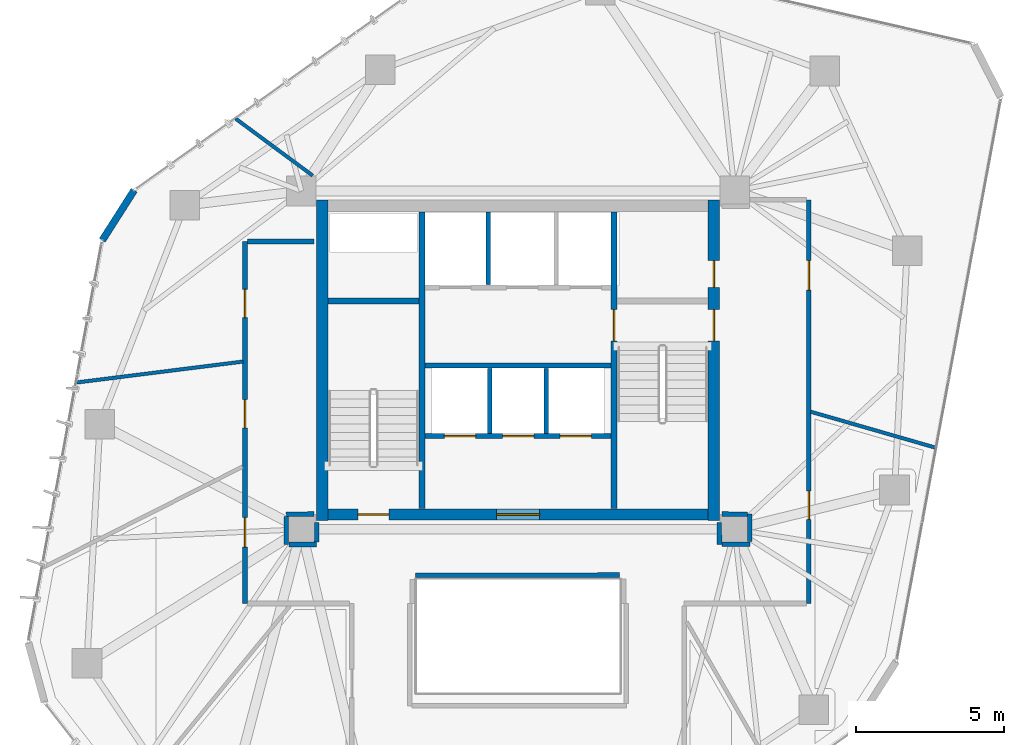
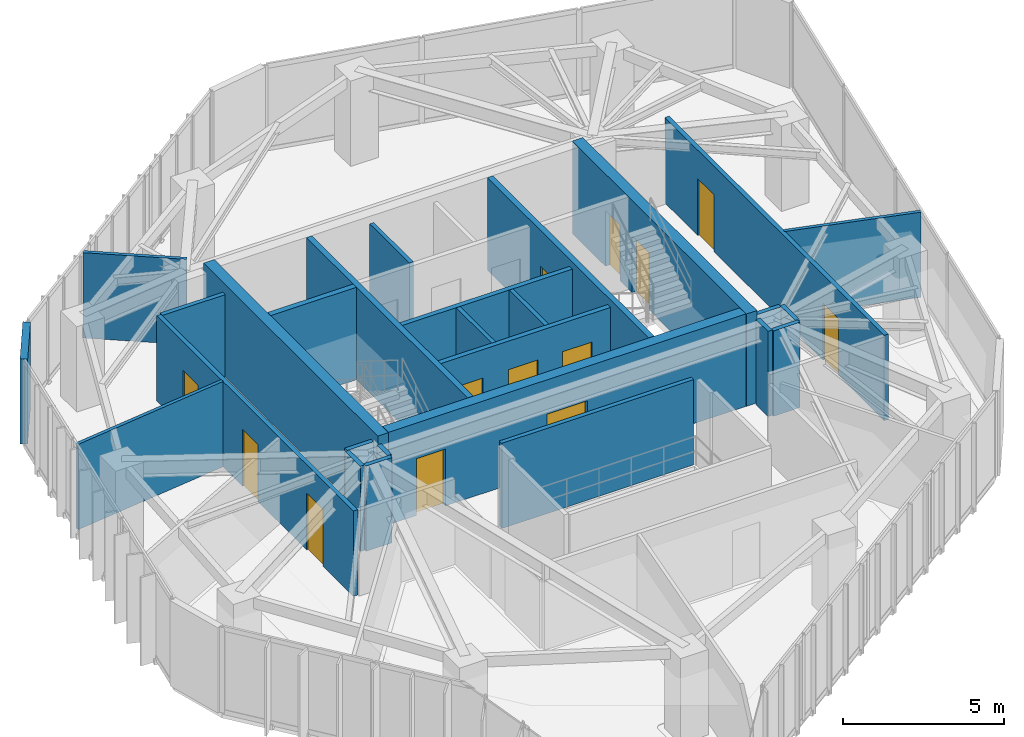
# One storey, part 16 of 19: 27 walls, 13 doors, 13 openings.
"""IFC4 building model written with IfcOpenShell, lengths in metres."""

from ifc_helpers import new_model, si_unit, direction, frame, frame_2d, origin, place, context, subcontext, project, spatial, rectangle, extrude, source, transform, mapped, material, layer, layer_set, type_object, type_shapes, element, fill, save


model = new_model("IFC4")

# Units and contexts
model_context = context("Model", 3, precision=1e-05, world=origin(), true_north=direction((0.0, 1.0)))
body_context = subcontext(model_context, "Body", "Model", "MODEL_VIEW")
ifc_project = project(units=[si_unit("LENGTHUNIT", "METRE"), si_unit("AREAUNIT", "SQUARE_METRE"), si_unit("VOLUMEUNIT", "CUBIC_METRE"), si_unit("PLANEANGLEUNIT", "RADIAN"), si_unit("MASSUNIT", "GRAM", prefix="KILO")], contexts=[model_context])

# Site, building, storey
site_placement = place(None, origin())
site = spatial("IfcSite", under=ifc_project, at=site_placement, CompositionType="ELEMENT")
building_placement = place(site_placement, origin())
building = spatial("IfcBuilding", under=site, at=building_placement, Name="Talar Marvaseh", CompositionType="ELEMENT")
storey_placement = place(building_placement, frame((0.0, 0.0, 195.0)))
storey = spatial("IfcBuildingStorey", under=building, at=storey_placement, Name="L51", CompositionType="ELEMENT", Elevation=195.0)

# Wall
ifc_material_1 = material(Name="Precast concrete C45/55", Category="concrete")
ifc_layer_1 = layer(ifc_material_1, 0.239990234375)
ifc_layer_set_1 = layer_set([ifc_layer_1], Name="Precast concrete C45/55")
wall_type_1 = type_object("IfcWallType", Name="Chamfered Hexagonal Corner Pier Wall Z3 240", PredefinedType="SOLIDWALL", material=ifc_layer_set_1)
wall_1_placement = place(storey_placement, frame((11.988525390625, 35.23876953125, 0.0), z_axis=(0.0, 0.0, 1.0), x_axis=(0.537395915449, 0.843330083691, 0.0)))
element("IfcWall", 1, at=wall_1_placement, inside=storey, type_object=wall_type_1, Name="L51 Chamfered Corner Limestone Pier 3", PredefinedType="SOLIDWALL", context=body_context, shape_type="SweptSolid", body=[
    extrude(rectangle(XDim=2.0029296875, YDim=0.239990234375, at=frame_2d((1.00146484375, 0.0))), origin(), (0.0, 0.0, 1.0), 3.22998046875),
])

# Wall, openings, doors
ifc_material_2 = material(Name="Gypsum Board Partition Assembly")
ifc_layer_2 = layer(ifc_material_2, 0.155029296875)
ifc_layer_set_2 = layer_set([ifc_layer_2], Name="Gypsum Board Partition Assembly")
wall_type_2 = type_object("IfcWallType", Name="Corridor Fire-Rated Acoustic Partition 155", PredefinedType="PARTITIONING", material=ifc_layer_set_2)
wall_2_placement = place(storey_placement, frame((16.800048828125, 23.0, 0.0), z_axis=(0.0, 0.0, 1.0), x_axis=(0.0, 1.0, 0.0)))
wall_2 = element("IfcWall", 2, at=wall_2_placement, inside=storey, type_object=wall_type_2, Name="L51 Interior Partition Wall", PredefinedType="PARTITIONING", context=body_context, shape_type="SweptSolid", body=[
    extrude(rectangle(XDim=12.199951171875, YDim=0.155029296875, at=frame_2d((6.10009765625, 0.0))), origin(), (0.0, 0.0, 1.0), 3.22998046875),
])
opening_1_placement = place(wall_2_placement, frame((1.8955078125, 0.0, 0.0)))
opening_1 = element("IfcOpeningElement", 3, at=opening_1_placement, cuts=wall_2, Name="Opening DR-RM100", PredefinedType="OPENING", context=body_context, shape_type="SweptSolid", body=[
    extrude(rectangle(XDim=1.0, YDim=2.14990234375, at=frame_2d((0.5, 1.074951171875))), frame((0.0, 0.08740234375, 0.0), z_axis=(0.0, -1.0, 0.0), x_axis=(1.0, 0.0, 0.0)), (0.0, 0.0, 1.0), 0.175048828125),
])
opening_2_placement = place(wall_2_placement, frame((9.632080078125, 0.0, 0.0)))
opening_2 = element("IfcOpeningElement", 4, at=opening_2_placement, cuts=wall_2, Name="Opening DR-WC095", PredefinedType="OPENING", context=body_context, shape_type="SweptSolid", body=[
    extrude(rectangle(XDim=0.949951171875, YDim=2.14990234375, at=frame_2d((0.47509765625, 1.074951171875))), frame((0.0, 0.08740234375, 0.0), z_axis=(0.0, -1.0, 0.0), x_axis=(1.0, 0.0, 0.0)), (0.0, 0.0, 1.0), 0.175048828125),
])
opening_3_placement = place(wall_2_placement, frame((5.919921875, 0.0, 0.0)))
opening_3 = element("IfcOpeningElement", 5, at=opening_3_placement, cuts=wall_2, Name="Opening DR-WC095", PredefinedType="OPENING", context=body_context, shape_type="SweptSolid", body=[
    extrude(rectangle(XDim=0.949951171875, YDim=2.14990234375, at=frame_2d((0.47509765625, 1.074951171875))), frame((0.0, 0.08740234375, 0.0), z_axis=(0.0, -1.0, 0.0), x_axis=(1.0, 0.0, 0.0)), (0.0, 0.0, 1.0), 0.175048828125),
])
ifc_material_3 = material(Name="Acoustic Engineered Oak Timber", Category="wood")
door_type_1 = type_object("IfcDoorType", Name="Washroom and Service Room Door 950x2150", OperationType="NOTDEFINED", PredefinedType="DOOR", material=ifc_material_3)
shared_shape_1 = source(origin(), body_context, "Body", "SweptSolid", [
    extrude(rectangle(XDim=0.949951171875, YDim=2.14990234375, at=frame_2d((0.47509765625, 1.074951171875))), frame((0.0, 0.02490234375, 0.0), z_axis=(0.0, -1.0, 0.0), x_axis=(1.0, 0.0, 0.0)), (0.0, 0.0, 1.0), 0.050048828125),
])
type_shapes(door_type_1, [shared_shape_1])
door_1_placement = place(opening_2_placement, origin())
door_1 = element("IfcDoor", 6, at=door_1_placement, inside=storey, type_object=door_type_1, Name="L51 Accessible WC Block Door", OperationType="SINGLE_SWING_LEFT", OverallHeight=2.14990234375, OverallWidth=0.949951171875, PredefinedType="DOOR", context=body_context, shape_type="MappedRepresentation", body=[
    mapped(shared_shape_1, transform((0.0, 0.0, 0.0), x_axis=(1.0, 0.0, 0.0), y_axis=(0.0, 1.0, 0.0), z_axis=(0.0, 0.0, 1.0), scale=1.0)),
])
fill(opening_2, door_1)
door_2_placement = place(opening_3_placement, origin())
door_2 = element("IfcDoor", 7, at=door_2_placement, inside=storey, type_object=door_type_1, Name="L51 WC Public Washrooms Door", OperationType="SINGLE_SWING_RIGHT", OverallHeight=2.14990234375, OverallWidth=0.949951171875, PredefinedType="DOOR", context=body_context, shape_type="MappedRepresentation", body=[
    mapped(shared_shape_1, transform((0.0, 0.0, 0.0), x_axis=(1.0, 0.0, 0.0), y_axis=(0.0, 1.0, 0.0), z_axis=(0.0, 0.0, 1.0), scale=1.0)),
])
fill(opening_3, door_2)
door_type_2 = type_object("IfcDoorType", Name="Corridor Fire-Rated Gallery Door 1000x2150", OperationType="NOTDEFINED", PredefinedType="DOOR", material=ifc_material_3)
shared_shape_2 = source(origin(), body_context, "Body", "SweptSolid", [
    extrude(rectangle(XDim=1.0, YDim=2.14990234375, at=frame_2d((0.5, 1.074951171875))), frame((0.0, 0.02490234375, 0.0), z_axis=(0.0, -1.0, 0.0), x_axis=(1.0, 0.0, 0.0)), (0.0, 0.0, 1.0), 0.050048828125),
])
type_shapes(door_type_2, [shared_shape_2])
door_3_placement = place(opening_1_placement, origin())
door_3 = element("IfcDoor", 8, at=door_3_placement, inside=storey, type_object=door_type_2, Name="L51 Seminar Room Door", OperationType="SINGLE_SWING_RIGHT", OverallHeight=2.14990234375, OverallWidth=1.0, PredefinedType="DOOR", context=body_context, shape_type="MappedRepresentation", body=[
    mapped(shared_shape_2, transform((0.0, 0.0, 0.0), x_axis=(1.0, 0.0, 0.0), y_axis=(0.0, 1.0, 0.0), z_axis=(0.0, 0.0, 1.0), scale=1.0)),
])
fill(opening_1, door_3)

wall_3_placement = place(storey_placement, frame((35.800048828125, 36.60009765625, 0.0), z_axis=(0.0, 0.0, 1.0), x_axis=(0.0, -1.0, 0.0)))
wall_3 = element("IfcWall", 9, at=wall_3_placement, inside=storey, type_object=wall_type_2, Name="L51 Interior Partition Wall", PredefinedType="PARTITIONING", context=body_context, shape_type="SweptSolid", body=[
    extrude(rectangle(XDim=13.60009765625, YDim=0.155029296875, at=frame_2d((6.800048828125, 0.0))), origin(), (0.0, 0.0, 1.0), 3.22998046875),
])
opening_4_placement = place(wall_3_placement, frame((9.81494140625, 0.0, 0.0)))
opening_4 = element("IfcOpeningElement", 10, at=opening_4_placement, cuts=wall_3, Name="Opening DR-WC095", PredefinedType="OPENING", context=body_context, shape_type="SweptSolid", body=[
    extrude(rectangle(XDim=0.949951171875, YDim=2.14990234375, at=frame_2d((0.47509765625, 1.074951171875))), frame((0.0, 0.08740234375, 0.0), z_axis=(0.0, -1.0, 0.0), x_axis=(1.0, 0.0, 0.0)), (0.0, 0.0, 1.0), 0.175048828125),
])
opening_5_placement = place(wall_3_placement, frame((2.04296875, 0.0, 0.0)))
opening_5 = element("IfcOpeningElement", 11, at=opening_5_placement, cuts=wall_3, Name="Opening DR-RM100", PredefinedType="OPENING", context=body_context, shape_type="SweptSolid", body=[
    extrude(rectangle(XDim=1.0, YDim=2.14990234375, at=frame_2d((0.5, 1.074951171875))), frame((0.0, 0.08740234375, 0.0), z_axis=(0.0, -1.0, 0.0), x_axis=(1.0, 0.0, 0.0)), (0.0, 0.0, 1.0), 0.175048828125),
])
door_4_placement = place(opening_4_placement, origin())
door_4 = element("IfcDoor", 12, at=door_4_placement, inside=storey, type_object=door_type_1, Name="L51 Scholars' Servery Pantry Door", OperationType="SINGLE_SWING_LEFT", OverallHeight=2.14990234375, OverallWidth=0.949951171875, PredefinedType="DOOR", context=body_context, shape_type="MappedRepresentation", body=[
    mapped(shared_shape_1, transform((0.0, 0.0, 0.0), x_axis=(1.0, 0.0, 0.0), y_axis=(0.0, 1.0, 0.0), z_axis=(0.0, 0.0, 1.0), scale=1.0)),
])
fill(opening_4, door_4)
door_5_placement = place(opening_5_placement, origin())
door_5 = element("IfcDoor", 13, at=door_5_placement, inside=storey, type_object=door_type_2, Name="L51 Conservation Briefing Room Door", OperationType="SINGLE_SWING_RIGHT", OverallHeight=2.14990234375, OverallWidth=1.0, PredefinedType="DOOR", context=body_context, shape_type="MappedRepresentation", body=[
    mapped(shared_shape_2, transform((0.0, 0.0, 0.0), x_axis=(1.0, 0.0, 0.0), y_axis=(0.0, 1.0, 0.0), z_axis=(0.0, 0.0, 1.0), scale=1.0)),
])
fill(opening_5, door_5)

# Walls
wall_4_placement = place(storey_placement, frame((16.883544921875, 35.199951171875, 0.0), z_axis=(0.0, 0.0, 1.0), x_axis=(1.0, 0.0, 0.0)))
element("IfcWall", 14, at=wall_4_placement, inside=storey, type_object=wall_type_2, Name="L51 Interior Partition Wall", PredefinedType="PARTITIONING", context=body_context, shape_type="SweptSolid", body=[
    extrude(rectangle(XDim=2.246337890625, YDim=0.155029296875, at=frame_2d((1.123046875, 0.0))), origin(), (0.0, 0.0, 1.0), 3.22998046875),
])
wall_5_placement = place(storey_placement, frame((19.1298828125, 26.0146484375, 0.0), z_axis=(0.0, 0.0, 1.0), x_axis=(-0.99999026157, -0.004413248818, 0.0)))
element("IfcWall", 15, at=wall_5_placement, inside=storey, type_object=wall_type_2, Name="L51 Interior Partition Wall", PredefinedType="PARTITIONING", context=body_context, shape_type="SweptSolid", body=[
    extrude(rectangle(XDim=0.9404296875, YDim=0.155029296875, at=frame_2d((0.47021484375, 0.0))), origin(), (0.0, 0.0, 1.0), 3.22998046875),
])
wall_6_placement = place(storey_placement, frame((18.189697265625, 25.927001953125, 0.0), z_axis=(0.0, 0.0, 1.0), x_axis=(0.002078997586, -0.999997838882, 0.0)))
element("IfcWall", 16, at=wall_6_placement, inside=storey, type_object=wall_type_2, Name="L51 Interior Partition Wall", PredefinedType="PARTITIONING", context=body_context, shape_type="SweptSolid", body=[
    extrude(rectangle(XDim=0.939453125, YDim=0.155029296875, at=frame_2d((0.4697265625, 0.0))), origin(), (0.0, 0.0, 1.0), 3.22998046875),
])
wall_7_placement = place(storey_placement, frame((18.275146484375, 24.987548828125, 0.0), z_axis=(0.0, 0.0, 1.0), x_axis=(0.999999692748, 0.0007839036, 0.0)))
element("IfcWall", 17, at=wall_7_placement, inside=storey, type_object=wall_type_2, Name="L51 Interior Partition Wall", PredefinedType="PARTITIONING", context=body_context, shape_type="SweptSolid", body=[
    extrude(rectangle(XDim=0.934326171875, YDim=0.155029296875, at=frame_2d((0.46728515625, 0.0))), origin(), (0.0, 0.0, 1.0), 3.22998046875),
])
wall_8_placement = place(storey_placement, frame((19.210205078125, 25.072021484375, 0.0), z_axis=(0.0, 0.0, 1.0), x_axis=(0.007420945932, 0.999972464402, 0.0)))
element("IfcWall", 18, at=wall_8_placement, inside=storey, type_object=wall_type_2, Name="L51 Interior Partition Wall", PredefinedType="PARTITIONING", context=body_context, shape_type="SweptSolid", body=[
    extrude(rectangle(XDim=0.657958984375, YDim=0.155029296875, at=frame_2d((0.3291015625, 0.0))), origin(), (0.0, 0.0, 1.0), 3.22998046875),
])
wall_9_placement = place(storey_placement, frame((32.784912109375, 25.72998046875, 0.0), z_axis=(0.0, 0.0, 1.0), x_axis=(0.007570553288, -0.999971342951, 0.0)))
element("IfcWall", 19, at=wall_9_placement, inside=storey, type_object=wall_type_2, Name="L51 Interior Partition Wall", PredefinedType="PARTITIONING", context=body_context, shape_type="SweptSolid", body=[
    extrude(rectangle(XDim=0.74169921875, YDim=0.155029296875, at=frame_2d((0.370849609375, 0.0))), origin(), (0.0, 0.0, 1.0), 3.22998046875),
])
wall_10_placement = place(storey_placement, frame((32.8740234375, 24.9892578125, 0.0), z_axis=(0.0, 0.0, 1.0), x_axis=(0.999934835738, 0.01141596595, 0.0)))
element("IfcWall", 20, at=wall_10_placement, inside=storey, type_object=wall_type_2, Name="L51 Interior Partition Wall", PredefinedType="PARTITIONING", context=body_context, shape_type="SweptSolid", body=[
    extrude(rectangle(XDim=0.94091796875, YDim=0.155029296875, at=frame_2d((0.470458984375, 0.0))), origin(), (0.0, 0.0, 1.0), 3.22998046875),
])
wall_11_placement = place(storey_placement, frame((33.814697265625, 25.08349609375, 0.0), z_axis=(0.0, 0.0, 1.0), x_axis=(-0.004477173984, 0.999989977406, 0.0)))
element("IfcWall", 21, at=wall_11_placement, inside=storey, type_object=wall_type_2, Name="L51 Interior Partition Wall", PredefinedType="PARTITIONING", context=body_context, shape_type="SweptSolid", body=[
    extrude(rectangle(XDim=0.927001953125, YDim=0.155029296875, at=frame_2d((0.46337890625, 0.0))), origin(), (0.0, 0.0, 1.0), 3.22998046875),
])
wall_12_placement = place(storey_placement, frame((33.72705078125, 26.010986328125, 0.0), z_axis=(0.0, 0.0, 1.0), x_axis=(-0.999990868706, 0.004273465251, 0.0)))
element("IfcWall", 22, at=wall_12_placement, inside=storey, type_object=wall_type_2, Name="L51 Interior Partition Wall", PredefinedType="PARTITIONING", context=body_context, shape_type="SweptSolid", body=[
    extrude(rectangle(XDim=0.85693359375, YDim=0.155029296875, at=frame_2d((0.428466796875, 0.0))), origin(), (0.0, 0.0, 1.0), 3.22998046875),
])
wall_13_placement = place(storey_placement, frame((29.415771484375, 23.959228515625, 0.0), z_axis=(0.0, 0.0, 1.0), x_axis=(-0.999998607957, -0.001668557745, 0.0)))
element("IfcWall", 23, at=wall_13_placement, inside=storey, type_object=wall_type_2, Name="L51 Interior Partition Wall", PredefinedType="PARTITIONING", context=body_context, shape_type="SweptSolid", body=[
    extrude(rectangle(XDim=6.876953125, YDim=0.155029296875, at=frame_2d((3.4384765625, 0.0))), origin(), (0.0, 0.0, 1.0), 3.22998046875),
])
ifc_layer_3 = layer(ifc_material_2, 0.1201171875)
ifc_layer_set_3 = layer_set([ifc_layer_3], Name="Gypsum Board Partition Assembly")
wall_type_3 = type_object("IfcWallType", Name="Demountable Studio Room Partition 120", PredefinedType="PARTITIONING", material=ifc_layer_set_3)
wall_14_placement = place(storey_placement, frame((35.862548828125, 29.4619140625, 0.0), z_axis=(0.0, 0.0, 1.0), x_axis=(0.960999786339, -0.276549110748, 0.0)))
element("IfcWall", 24, at=wall_14_placement, inside=storey, type_object=wall_type_3, Name="L51 Interior Partition Wall", PredefinedType="PARTITIONING", context=body_context, shape_type="SweptSolid", body=[
    extrude(rectangle(XDim=4.37353515625, YDim=0.1201171875, at=frame_2d((2.186767578125, 0.0))), origin(), (0.0, 0.0, 1.0), 3.22998046875),
])
wall_15_placement = place(storey_placement, frame((19.080078125, 37.419921875, 0.0), z_axis=(0.0, 0.0, 1.0), x_axis=(-0.80430976954, 0.594210227633, 0.0)))
element("IfcWall", 25, at=wall_15_placement, inside=storey, type_object=wall_type_3, Name="L51 Interior Partition Wall", PredefinedType="PARTITIONING", context=body_context, shape_type="SweptSolid", body=[
    extrude(rectangle(XDim=3.22705078125, YDim=0.1201171875, at=frame_2d((1.613525390625, 0.0))), origin(), (0.0, 0.0, 1.0), 3.22998046875),
])
wall_16_placement = place(storey_placement, frame((16.735595703125, 31.15185546875, 0.0), z_axis=(0.0, 0.0, 1.0), x_axis=(-0.992197947241, -0.124672504948, 0.0)))
element("IfcWall", 26, at=wall_16_placement, inside=storey, type_object=wall_type_3, Name="L51 Interior Partition Wall", PredefinedType="PARTITIONING", context=body_context, shape_type="SweptSolid", body=[
    extrude(rectangle(XDim=5.653564453125, YDim=0.1201171875, at=frame_2d((2.82666015625, 0.0))), origin(), (0.0, 0.0, 1.0), 3.22998046875),
])
ifc_layer_4 = layer(ifc_material_1, 0.14501953125)
ifc_layer_set_4 = layer_set([ifc_layer_4], Name="Precast concrete C45/55")
wall_type_4 = type_object("IfcWallType", Name="Fire-Rated Lift Divider Wall 145", PredefinedType="SOLIDWALL", material=ifc_layer_set_4)
wall_17_placement = place(storey_placement, frame((25.0, 33.743408203125, 0.0), z_axis=(0.0, 0.0, 1.0), x_axis=(0.0, 1.0, 0.0)))
element("IfcWall", 27, at=wall_17_placement, inside=storey, type_object=wall_type_4, Name="L51 FFL-1/FFL-2 Divider", PredefinedType="SOLIDWALL", context=body_context, shape_type="SweptSolid", body=[
    extrude(rectangle(XDim=2.45654296875, YDim=0.14501953125, at=frame_2d((1.228271484375, 0.0))), origin(), (0.0, 0.0, 1.0), 3.22998046875),
])
for number, where, z_axis, x_axis, name in (
    (28, (25.050048828125, 28.719970703125, 0.0), (0.0, 0.0, 1.0), (0.0, 1.0, 0.0), "L51 PL-H1/PL-H2 Divider"),
    (29, (26.949951171875, 28.719970703125, 0.0), (0.0, 0.0, 1.0), (0.0, 1.0, 0.0), "L51 PL-H2/PL-H3 Divider"),
):
    element("IfcWall", number, at=place(storey_placement, frame(where, z_axis=z_axis, x_axis=x_axis)), inside=storey, type_object=wall_type_4, Name=name, PredefinedType="SOLIDWALL", context=body_context, shape_type="SweptSolid", body=[
        extrude(rectangle(XDim=2.20654296875, YDim=0.14501953125, at=frame_2d((1.103271484375, 0.0))), origin(), (0.0, 0.0, 1.0), 3.22998046875),
    ])
ifc_layer_5 = layer(ifc_material_1, 0.175048828125)
ifc_layer_set_5 = layer_set([ifc_layer_5], Name="Precast concrete C45/55")
wall_type_5 = type_object("IfcWallType", Name="Fire-Rated Lift Hoistway Enclosure Wall 175", PredefinedType="SOLIDWALL", material=ifc_layer_set_5)
wall_18_placement = place(storey_placement, frame((22.860107421875, 31.02001953125, 0.0), z_axis=(0.0, 0.0, 1.0), x_axis=(1.0, 0.0, 0.0)))
element("IfcWall", 30, at=wall_18_placement, inside=storey, type_object=wall_type_5, Name="L51 Firefighting Lobby South Smoke Wall", PredefinedType="SOLIDWALL", context=body_context, shape_type="SweptSolid", body=[
    extrude(rectangle(XDim=6.27978515625, YDim=0.175048828125, at=frame_2d((3.139892578125, 0.0))), origin(), (0.0, 0.0, 1.0), 3.22998046875),
])

# Wall, openings, doors
wall_19_placement = place(storey_placement, frame((22.860107421875, 28.639892578125, 0.0), z_axis=(0.0, 0.0, 1.0), x_axis=(1.0, 0.0, 0.0)))
wall_19 = element("IfcWall", 31, at=wall_19_placement, inside=storey, type_object=wall_type_5, Name="L51 High-Rise Lift Bank Front Wall", PredefinedType="SOLIDWALL", context=body_context, shape_type="SweptSolid", body=[
    extrude(rectangle(XDim=6.27978515625, YDim=0.175048828125, at=frame_2d((3.139892578125, 0.0))), origin(), (0.0, 0.0, 1.0), 3.22998046875),
])
opening_6_placement = place(wall_19_placement, frame((0.659912109375, 0.0, 0.0)))
opening_6 = element("IfcOpeningElement", 32, at=opening_6_placement, cuts=wall_19, Name="Opening LD-PLH1", PredefinedType="OPENING", context=body_context, shape_type="SweptSolid", body=[
    extrude(rectangle(XDim=1.050048828125, YDim=2.14990234375, at=frame_2d((0.52490234375, 1.074951171875))), frame((0.0, 0.09765625, 0.0), z_axis=(0.0, -1.0, 0.0), x_axis=(1.0, 0.0, 0.0)), (0.0, 0.0, 1.0), 0.195068359375),
])
opening_7_placement = place(wall_19_placement, frame((2.6201171875, 0.0, 0.0)))
opening_7 = element("IfcOpeningElement", 33, at=opening_7_placement, cuts=wall_19, Name="Opening LD-PLH2", PredefinedType="OPENING", context=body_context, shape_type="SweptSolid", body=[
    extrude(rectangle(XDim=1.050048828125, YDim=2.14990234375, at=frame_2d((0.52490234375, 1.074951171875))), frame((0.0, 0.09765625, 0.0), z_axis=(0.0, -1.0, 0.0), x_axis=(1.0, 0.0, 0.0)), (0.0, 0.0, 1.0), 0.195068359375),
])
opening_8_placement = place(wall_19_placement, frame((4.56005859375, 0.0, 0.0)))
opening_8 = element("IfcOpeningElement", 34, at=opening_8_placement, cuts=wall_19, Name="Opening LD-PLH3", PredefinedType="OPENING", context=body_context, shape_type="SweptSolid", body=[
    extrude(rectangle(XDim=1.050048828125, YDim=2.14990234375, at=frame_2d((0.52490234375, 1.074951171875))), frame((0.0, 0.09765625, 0.0), z_axis=(0.0, -1.0, 0.0), x_axis=(1.0, 0.0, 0.0)), (0.0, 0.0, 1.0), 0.195068359375),
])
ifc_material_4 = material(Name="Stainless Steel Grade 316", Category="steel")
door_type_3 = type_object("IfcDoorType", Name="Automatic Sliding Lift Landing Door 1050x2150", OperationType="NOTDEFINED", PredefinedType="DOOR", material=ifc_material_4)
shared_shape_3 = source(origin(), body_context, "Body", "SweptSolid", [
    extrude(rectangle(XDim=1.050048828125, YDim=2.14990234375, at=frame_2d((0.52490234375, 1.074951171875))), frame((0.0, 0.02490234375, 0.0), z_axis=(0.0, -1.0, 0.0), x_axis=(1.0, 0.0, 0.0)), (0.0, 0.0, 1.0), 0.050048828125),
])
type_shapes(door_type_3, [shared_shape_3])
door_6_placement = place(opening_6_placement, origin())
door_6 = element("IfcDoor", 35, at=door_6_placement, inside=storey, type_object=door_type_3, Name="L51 Lift PL-H1 Sliding Landing Door", OperationType="SLIDING_TO_LEFT", OverallHeight=2.14990234375, OverallWidth=1.050048828125, PredefinedType="DOOR", context=body_context, shape_type="MappedRepresentation", body=[
    mapped(shared_shape_3, transform((0.0, 0.0, 0.0), x_axis=(1.0, 0.0, 0.0), y_axis=(0.0, 1.0, 0.0), z_axis=(0.0, 0.0, 1.0), scale=1.0)),
])
fill(opening_6, door_6)
door_7_placement = place(opening_7_placement, origin())
door_7 = element("IfcDoor", 36, at=door_7_placement, inside=storey, type_object=door_type_3, Name="L51 Lift PL-H2 Sliding Landing Door", OperationType="SLIDING_TO_LEFT", OverallHeight=2.14990234375, OverallWidth=1.050048828125, PredefinedType="DOOR", context=body_context, shape_type="MappedRepresentation", body=[
    mapped(shared_shape_3, transform((0.0, 0.0, 0.0), x_axis=(1.0, 0.0, 0.0), y_axis=(0.0, 1.0, 0.0), z_axis=(0.0, 0.0, 1.0), scale=1.0)),
])
fill(opening_7, door_7)
door_8_placement = place(opening_8_placement, origin())
door_8 = element("IfcDoor", 37, at=door_8_placement, inside=storey, type_object=door_type_3, Name="L51 Lift PL-H3 Sliding Landing Door", OperationType="SLIDING_TO_LEFT", OverallHeight=2.14990234375, OverallWidth=1.050048828125, PredefinedType="DOOR", context=body_context, shape_type="MappedRepresentation", body=[
    mapped(shared_shape_3, transform((0.0, 0.0, 0.0), x_axis=(1.0, 0.0, 0.0), y_axis=(0.0, 1.0, 0.0), z_axis=(0.0, 0.0, 1.0), scale=1.0)),
])
fill(opening_8, door_8)

# Wall
ifc_material_5 = material(Name="Concrete C60/75", Category="concrete")
ifc_layer_6 = layer(ifc_material_5, 0.3798828125)
ifc_layer_set_6 = layer_set([ifc_layer_6], Name="Concrete C60/75")
wall_type_6 = type_object("IfcWallType", Name="Mid Core Reinforced Concrete Shear Wall 380", PredefinedType="SHEAR", material=ifc_layer_set_6)
wall_20_placement = place(storey_placement, frame((19.39990234375, 25.800048828125, 0.0), z_axis=(0.0, 0.0, 1.0), x_axis=(0.0, 1.0, 0.0)))
element("IfcWall", 38, at=wall_20_placement, inside=storey, type_object=wall_type_6, Name="L51 West Core Shear Wall", PredefinedType="SHEAR", context=body_context, shape_type="SweptSolid", body=[
    extrude(rectangle(XDim=10.800048828125, YDim=0.3798828125, at=frame_2d((5.39990234375, 0.0))), origin(), (0.0, 0.0, 1.0), 3.5),
])

# Wall, openings, doors
wall_21_placement = place(storey_placement, frame((32.60009765625, 36.60009765625, 0.0), z_axis=(0.0, 0.0, 1.0), x_axis=(0.0, -1.0, 0.0)))
wall_21 = element("IfcWall", 39, at=wall_21_placement, inside=storey, type_object=wall_type_6, Name="L51 East Core Shear Wall", PredefinedType="SHEAR", context=body_context, shape_type="SweptSolid", body=[
    extrude(rectangle(XDim=10.800048828125, YDim=0.3798828125, at=frame_2d((5.39990234375, 0.0))), origin(), (0.0, 0.0, 1.0), 3.5),
])
opening_9_placement = place(wall_21_placement, frame((3.699951171875, 0.0, 0.0)))
opening_9 = element("IfcOpeningElement", 40, at=opening_9_placement, cuts=wall_21, Name="Opening DR-ST105", PredefinedType="OPENING", context=body_context, shape_type="SweptSolid", body=[
    extrude(rectangle(XDim=1.050048828125, YDim=2.14990234375, at=frame_2d((0.52490234375, 1.074951171875))), frame((0.0, 0.199951171875, 0.0), z_axis=(0.0, -1.0, 0.0), x_axis=(1.0, 0.0, 0.0)), (0.0, 0.0, 1.0), 0.39990234375),
])
opening_10_placement = place(wall_21_placement, frame((2.050048828125, 0.0, 0.0)))
opening_10 = element("IfcOpeningElement", 41, at=opening_10_placement, cuts=wall_21, Name="Opening DR-BOH090", PredefinedType="OPENING", context=body_context, shape_type="SweptSolid", body=[
    extrude(rectangle(XDim=0.89990234375, YDim=2.10009765625, at=frame_2d((0.449951171875, 1.050048828125))), frame((0.0, 0.199951171875, 0.0), z_axis=(0.0, -1.0, 0.0), x_axis=(1.0, 0.0, 0.0)), (0.0, 0.0, 1.0), 0.39990234375),
])
ifc_material_6 = material(Name="Fire-Rated Steel Door Leaf", Category="steel")
door_type_4 = type_object("IfcDoorType", Name="Protected Exit Stair Fire Door 1050x2150", OperationType="NOTDEFINED", PredefinedType="DOOR", material=ifc_material_6)
shared_shape_4 = source(origin(), body_context, "Body", "SweptSolid", [
    extrude(rectangle(XDim=1.050048828125, YDim=2.14990234375, at=frame_2d((0.52490234375, 1.074951171875))), frame((0.0, 0.02490234375, 0.0), z_axis=(0.0, -1.0, 0.0), x_axis=(1.0, 0.0, 0.0)), (0.0, 0.0, 1.0), 0.050048828125),
])
type_shapes(door_type_4, [shared_shape_4])
door_9_placement = place(opening_9_placement, origin())
door_9 = element("IfcDoor", 42, at=door_9_placement, inside=storey, type_object=door_type_4, Name="L51 Stair ST-2 Corridor Exit Door", OperationType="SINGLE_SWING_LEFT", OverallHeight=2.14990234375, OverallWidth=1.050048828125, PredefinedType="DOOR", context=body_context, shape_type="MappedRepresentation", body=[
    mapped(shared_shape_4, transform((0.0, 0.0, 0.0), x_axis=(1.0, 0.0, 0.0), y_axis=(0.0, 1.0, 0.0), z_axis=(0.0, 0.0, 1.0), scale=1.0)),
])
fill(opening_9, door_9)
door_type_5 = type_object("IfcDoorType", Name="Core Back-of-House Service Door 900x2100", OperationType="NOTDEFINED", PredefinedType="DOOR", material=ifc_material_6)
shared_shape_5 = source(origin(), body_context, "Body", "SweptSolid", [
    extrude(rectangle(XDim=0.89990234375, YDim=2.10009765625, at=frame_2d((0.449951171875, 1.050048828125))), frame((0.0, 0.02490234375, 0.0), z_axis=(0.0, -1.0, 0.0), x_axis=(1.0, 0.0, 0.0)), (0.0, 0.0, 1.0), 0.050048828125),
])
type_shapes(door_type_5, [shared_shape_5])
door_10_placement = place(opening_10_placement, origin())
door_10 = element("IfcDoor", 43, at=door_10_placement, inside=storey, type_object=door_type_5, Name="L51 Store Core East Archive Room Door", OperationType="SINGLE_SWING_RIGHT", OverallHeight=2.10009765625, OverallWidth=0.89990234375, PredefinedType="DOOR", context=body_context, shape_type="MappedRepresentation", body=[
    mapped(shared_shape_5, transform((0.0, 0.0, 0.0), x_axis=(1.0, 0.0, 0.0), y_axis=(0.0, 1.0, 0.0), z_axis=(0.0, 0.0, 1.0), scale=1.0)),
])
fill(opening_10, door_10)

wall_22_placement = place(storey_placement, frame((32.39990234375, 26.0, 0.0), z_axis=(0.0, 0.0, 1.0), x_axis=(-1.0, 0.0, 0.0)))
wall_22 = element("IfcWall", 44, at=wall_22_placement, inside=storey, type_object=wall_type_6, Name="L51 South Core Shear Wall", PredefinedType="SHEAR", context=body_context, shape_type="SweptSolid", body=[
    extrude(rectangle(XDim=12.7998046875, YDim=0.3798828125, at=frame_2d((6.39990234375, 0.0))), origin(), (0.0, 0.0, 1.0), 3.5),
])
opening_11_placement = place(wall_22_placement, frame((10.75, 0.0, 0.0)))
opening_11 = element("IfcOpeningElement", 45, at=opening_11_placement, cuts=wall_22, Name="Opening DR-ST105", PredefinedType="OPENING", context=body_context, shape_type="SweptSolid", body=[
    extrude(rectangle(XDim=1.050048828125, YDim=2.14990234375, at=frame_2d((0.52490234375, 1.074951171875))), frame((0.0, 0.199951171875, 0.0), z_axis=(0.0, -1.0, 0.0), x_axis=(1.0, 0.0, 0.0)), (0.0, 0.0, 1.0), 0.39990234375),
])
opening_12_placement = place(wall_22_placement, frame((5.669921875, 0.0, 0.0)))
opening_12 = element("IfcOpeningElement", 46, at=opening_12_placement, cuts=wall_22, Name="Opening DR-LBY145", PredefinedType="OPENING", context=body_context, shape_type="SweptSolid", body=[
    extrude(rectangle(XDim=1.449951171875, YDim=2.199951171875, at=frame_2d((0.72509765625, 1.10009765625))), frame((0.0, 0.199951171875, 0.0), z_axis=(0.0, -1.0, 0.0), x_axis=(1.0, 0.0, 0.0)), (0.0, 0.0, 1.0), 0.39990234375),
])
door_11_placement = place(opening_11_placement, origin())
door_11 = element("IfcDoor", 47, at=door_11_placement, inside=storey, type_object=door_type_4, Name="L51 Stair ST-1 Exit Door", OperationType="SINGLE_SWING_RIGHT", OverallHeight=2.14990234375, OverallWidth=1.050048828125, PredefinedType="DOOR", context=body_context, shape_type="MappedRepresentation", body=[
    mapped(shared_shape_4, transform((0.0, 0.0, 0.0), x_axis=(1.0, 0.0, 0.0), y_axis=(0.0, 1.0, 0.0), z_axis=(0.0, 0.0, 1.0), scale=1.0)),
])
fill(opening_11, door_11)
door_type_6 = type_object("IfcDoorType", Name="Core Lift Lobby Double Smoke Door 1450x2200", OperationType="NOTDEFINED", PredefinedType="DOOR", material=ifc_material_6)
shared_shape_6 = source(origin(), body_context, "Body", "SweptSolid", [
    extrude(rectangle(XDim=1.449951171875, YDim=2.199951171875, at=frame_2d((0.72509765625, 1.10009765625))), frame((0.0, 0.02490234375, 0.0), z_axis=(0.0, -1.0, 0.0), x_axis=(1.0, 0.0, 0.0)), (0.0, 0.0, 1.0), 0.050048828125),
])
type_shapes(door_type_6, [shared_shape_6])
door_12_placement = place(opening_12_placement, origin())
door_12 = element("IfcDoor", 48, at=door_12_placement, inside=storey, type_object=door_type_6, Name="L51 Passenger Lift Lobby Entrance Door", OperationType="DOUBLE_DOOR_SINGLE_SWING", OverallHeight=2.199951171875, OverallWidth=1.449951171875, PredefinedType="DOOR", context=body_context, shape_type="MappedRepresentation", body=[
    mapped(shared_shape_6, transform((0.0, 0.0, 0.0), x_axis=(1.0, 0.0, 0.0), y_axis=(0.0, 1.0, 0.0), z_axis=(0.0, 0.0, 1.0), scale=1.0)),
])
fill(opening_12, door_12)

# Wall
ifc_material_7 = material(Name="Concrete C50/60", Category="concrete")
ifc_layer_7 = layer(ifc_material_7, 0.199951171875)
ifc_layer_set_7 = layer_set([ifc_layer_7], Name="Concrete C50/60")
wall_type_7 = type_object("IfcWallType", Name="Stair Shaft Structural Concrete Shear Wall 200", PredefinedType="SHEAR", material=ifc_layer_set_7)
wall_23_placement = place(storey_placement, frame((22.760009765625, 26.199951171875, 0.0), z_axis=(0.0, 0.0, 1.0), x_axis=(0.0, 1.0, 0.0)))
element("IfcWall", 49, at=wall_23_placement, inside=storey, type_object=wall_type_7, Name="L51 Core West Stair Shear Wall", PredefinedType="SHEAR", context=body_context, shape_type="SweptSolid", body=[
    extrude(rectangle(XDim=10.0, YDim=0.199951171875, at=frame_2d((5.0, 0.0))), origin(), (0.0, 0.0, 1.0), 3.5),
])

# Wall, opening, door
wall_24_placement = place(storey_placement, frame((29.239990234375, 26.199951171875, 0.0), z_axis=(0.0, 0.0, 1.0), x_axis=(0.0, 1.0, 0.0)))
wall_24 = element("IfcWall", 50, at=wall_24_placement, inside=storey, type_object=wall_type_7, Name="L51 Core East Stair Shear Wall", PredefinedType="SHEAR", context=body_context, shape_type="SweptSolid", body=[
    extrude(rectangle(XDim=10.0, YDim=0.199951171875, at=frame_2d((5.0, 0.0))), origin(), (0.0, 0.0, 1.0), 3.5),
])
opening_13_placement = place(wall_24_placement, frame((5.64990234375, 0.0, 0.0)))
opening_13 = element("IfcOpeningElement", 51, at=opening_13_placement, cuts=wall_24, Name="Opening DR-ST105", PredefinedType="OPENING", context=body_context, shape_type="SweptSolid", body=[
    extrude(rectangle(XDim=1.050048828125, YDim=2.14990234375, at=frame_2d((0.52490234375, 1.074951171875))), frame((0.0, 0.10986328125, 0.0), z_axis=(0.0, -1.0, 0.0), x_axis=(1.0, 0.0, 0.0)), (0.0, 0.0, 1.0), 0.219970703125),
])
door_13_placement = place(opening_13_placement, origin())
door_13 = element("IfcDoor", 52, at=door_13_placement, inside=storey, type_object=door_type_4, Name="L51 Firefighting Lobby to Stair ST-2 Door", OperationType="SINGLE_SWING_LEFT", OverallHeight=2.14990234375, OverallWidth=1.050048828125, PredefinedType="DOOR", context=body_context, shape_type="MappedRepresentation", body=[
    mapped(shared_shape_4, transform((0.0, 0.0, 0.0), x_axis=(1.0, 0.0, 0.0), y_axis=(0.0, 1.0, 0.0), z_axis=(0.0, 0.0, 1.0), scale=1.0)),
])
fill(opening_13, door_13)

# Wall
wall_25_placement = place(storey_placement, frame((19.60009765625, 33.199951171875, 0.0), z_axis=(0.0, 0.0, 1.0), x_axis=(1.0, 0.0, 0.0)))
element("IfcWall", 53, at=wall_25_placement, inside=storey, type_object=wall_type_7, Name="L51 Stair ST-1 North Shear Wall", PredefinedType="SHEAR", context=body_context, shape_type="SweptSolid", body=[
    extrude(rectangle(XDim=3.059814453125, YDim=0.199951171875, at=frame_2d((1.52978515625, 0.0))), origin(), (0.0, 0.0, 1.0), 3.5),
])

save(model, "model.ifc")
